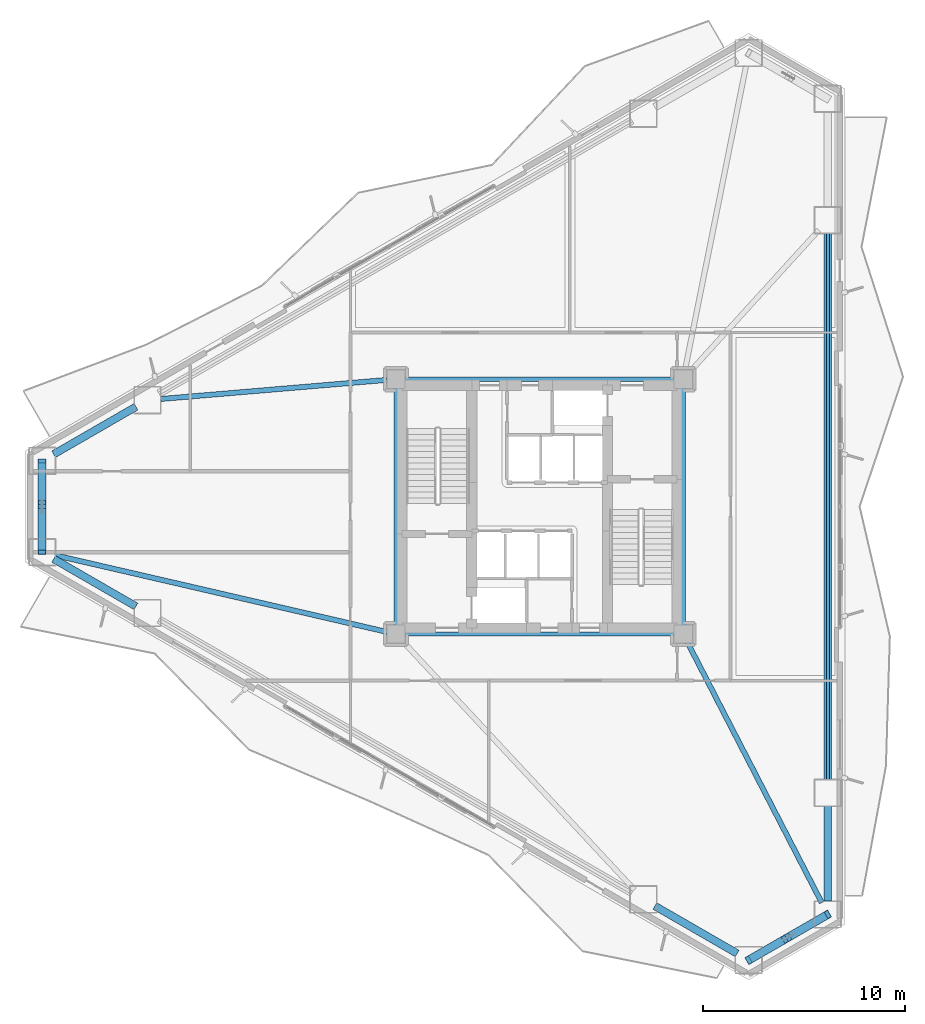
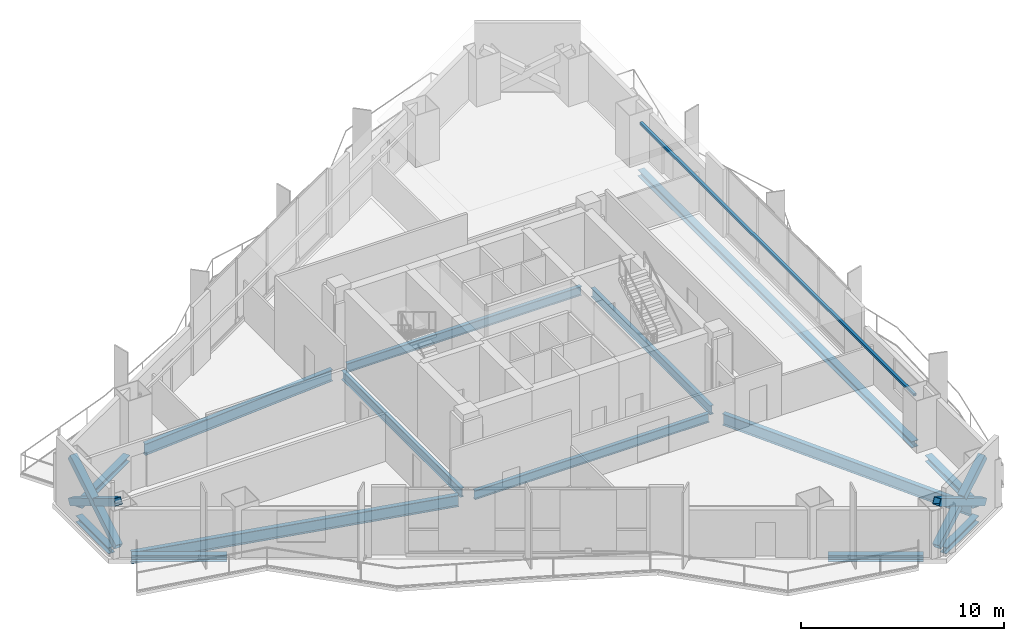
# One storey, part 5 of 16: 15 beams, 6 members.
"""IFC4 building model written with IfcOpenShell, lengths in metres."""

from ifc_helpers import new_model, si_unit, direction, frame, origin, origin_2d, place, context, subcontext, project, spatial, hollow_rectangle, i_section, extrude, material, material_profile, profile_set, type_object, element, save


model = new_model("IFC4")

# Units and contexts
model_context = context("Model", 3, precision=1e-05, world=origin(), true_north=direction((0.0, 1.0)))
body_context = subcontext(model_context, "Body", "Model", "MODEL_VIEW")
ifc_project = project(units=[si_unit("LENGTHUNIT", "METRE"), si_unit("AREAUNIT", "SQUARE_METRE"), si_unit("VOLUMEUNIT", "CUBIC_METRE"), si_unit("PLANEANGLEUNIT", "RADIAN"), si_unit("MASSUNIT", "GRAM", prefix="KILO")], contexts=[model_context])

# Site, building, storey
site_placement = place(None, origin())
site = spatial("IfcSite", under=ifc_project, at=site_placement, CompositionType="ELEMENT")
building_placement = place(site_placement, origin())
building = spatial("IfcBuilding", under=site, at=building_placement, Name="Mersakhor Tower and Convention Hall", CompositionType="ELEMENT")
storey_placement = place(building_placement, frame((0.0, 0.0, 62.10009765625)))
storey = spatial("IfcBuildingStorey", under=building, at=storey_placement, Name="L17", CompositionType="ELEMENT", Elevation=62.10009765625)

# Beams
ifc_material_1 = material(Name="Steel S355", Category="steel")
ifc_material_profile_1 = material_profile(ifc_material_1, i_section(OverallWidth=0.2099609375, OverallDepth=0.53662109375, WebThickness=0.0107421875, FlangeThickness=0.017333984375, at=origin_2d()), Name="UB 533x210x101")
ifc_profile_set_1 = profile_set([ifc_material_profile_1], Name="Steel S355")
beam_type_1 = type_object("IfcBeamType", Name="BM-FB-533", PredefinedType="BEAM", material=ifc_profile_set_1)
beam_1_placement = place(storey_placement, frame((21.89990234375, 20.8798828125, -0.54833984375), z_axis=(0.0, 1.0, 0.0), x_axis=(-1.0, 0.0, 0.0)))
element("IfcBeam", 1, at=beam_1_placement, inside=storey, type_object=beam_type_1, Name="L17 Core Ring Tie Beam CRB-1", PredefinedType="BEAM", context=body_context, shape_type="SweptSolid", body=[
    extrude(i_section(OverallWidth=0.2099609375, OverallDepth=0.53662109375, WebThickness=0.0107421875, FlangeThickness=0.017333984375, at=origin_2d()), origin(), (0.0, 0.0, 1.0), 11.740234375),
])
beam_2_placement = place(storey_placement, frame((22.330078125, 33.050048828125, -0.54833984375), z_axis=(1.0, 0.0, 0.0), x_axis=(0.0, 1.0, 0.0)))
element("IfcBeam", 2, at=beam_2_placement, inside=storey, type_object=beam_type_1, Name="L17 Core Ring Tie Beam CRB-2", PredefinedType="BEAM", context=body_context, shape_type="SweptSolid", body=[
    extrude(i_section(OverallWidth=0.2099609375, OverallDepth=0.53662109375, WebThickness=0.0107421875, FlangeThickness=0.017333984375, at=origin_2d()), origin(), (0.0, 0.0, 1.0), 13.33984375),
])
beam_3_placement = place(storey_placement, frame((36.10009765625, 32.6201171875, -0.54833984375), z_axis=(0.0, -1.0, 0.0), x_axis=(1.0, 0.0, 0.0)))
element("IfcBeam", 3, at=beam_3_placement, inside=storey, type_object=beam_type_1, Name="L17 Core Ring Tie Beam CRB-3", PredefinedType="BEAM", context=body_context, shape_type="SweptSolid", body=[
    extrude(i_section(OverallWidth=0.2099609375, OverallDepth=0.53662109375, WebThickness=0.0107421875, FlangeThickness=0.017333984375, at=origin_2d()), origin(), (0.0, 0.0, 1.0), 11.740234375),
])
beam_4_placement = place(storey_placement, frame((35.669921875, 20.449951171875, -0.54833984375), z_axis=(-1.0, 0.0, 0.0), x_axis=(0.0, -1.0, 0.0)))
element("IfcBeam", 4, at=beam_4_placement, inside=storey, type_object=beam_type_1, Name="L17 Core Ring Tie Beam CRB-4", PredefinedType="BEAM", context=body_context, shape_type="SweptSolid", body=[
    extrude(i_section(OverallWidth=0.2099609375, OverallDepth=0.53662109375, WebThickness=0.0107421875, FlangeThickness=0.017333984375, at=origin_2d()), origin(), (0.0, 0.0, 1.0), 13.33984375),
])
ifc_material_2 = material(Name="Steel S355", Category="steel")
ifc_material_profile_2 = material_profile(ifc_material_2, hollow_rectangle(XDim=0.14990234375, YDim=0.14990234375, WallThickness=0.010009765625, at=origin_2d()), Name="SHS 150x150x10")
ifc_profile_set_2 = profile_set([ifc_material_profile_2], Name="Steel S355")
beam_type_2 = type_object("IfcBeamType", Name="BM-GRT-SHS150", PredefinedType="USERDEFINED", material=ifc_profile_set_2)
beam_5_placement = place(storey_placement, frame((43.25, 40.24951171875, 2.47998046875), z_axis=(0.0, -1.0, 0.0), x_axis=(1.0, 0.0, 0.0)))
element("IfcBeam", 5, at=beam_5_placement, inside=storey, type_object=beam_type_2, Name="L17 Facade Support Girt GRT-F2", ObjectType="GIRT", PredefinedType="USERDEFINED", context=body_context, shape_type="SweptSolid", body=[
    extrude(hollow_rectangle(XDim=0.14990234375, YDim=0.14990234375, WallThickness=0.010009765625, at=origin_2d()), origin(), (0.0, 0.0, 1.0), 26.9990234375),
])
ifc_material_3 = material(Name="Steel S355", Category="steel")
ifc_material_profile_3 = material_profile(ifc_material_3, i_section(OverallWidth=0.25439453125, OverallDepth=0.6875, WebThickness=0.01318359375, FlangeThickness=0.02099609375, at=origin_2d()), Name="UB 686x254x152")
ifc_profile_set_3 = profile_set([ifc_material_profile_3], Name="Steel S355")
beam_type_3 = type_object("IfcBeamType", Name="BM-PR-686", PredefinedType="BEAM", material=ifc_profile_set_3)
beam_6_placement = place(storey_placement, frame((21.471435546875, 33.013916015625, -0.623779296875), z_axis=(-0.996458345442, -0.084087845732, 0.0), x_axis=(0.084087845732, -0.996458345442, 0.0)))
element("IfcBeam", 6, at=beam_6_placement, inside=storey, type_object=beam_type_3, Name="L17 Primary Floor Girder FG-1", PredefinedType="BEAM", context=body_context, shape_type="SweptSolid", body=[
    extrude(i_section(OverallWidth=0.25439453125, OverallDepth=0.6875, WebThickness=0.01318359375, FlangeThickness=0.02099609375, at=origin_2d()), origin(), (0.0, 0.0, 1.0), 11.241943359375),
])
beam_7_placement = place(storey_placement, frame((36.297119140625, 20.06787109375, -0.623779296875), z_axis=(0.458368239331, -0.888762373851, 0.0), x_axis=(0.888762373851, 0.458368239331, 0.0)))
element("IfcBeam", 7, at=beam_7_placement, inside=storey, type_object=beam_type_3, Name="L17 Primary Floor Girder FG-4", PredefinedType="BEAM", context=body_context, shape_type="SweptSolid", body=[
    extrude(i_section(OverallWidth=0.25439453125, OverallDepth=0.6875, WebThickness=0.01318359375, FlangeThickness=0.02099609375, at=origin_2d()), origin(), (0.0, 0.0, 1.0), 14.513671875),
])
beam_8_placement = place(storey_placement, frame((21.48095703125, 20.546875, -0.623779296875), z_axis=(-0.974327224334, 0.225136536175, 0.0), x_axis=(-0.225136536175, -0.974327224334, 0.0)))
element("IfcBeam", 8, at=beam_8_placement, inside=storey, type_object=beam_type_3, Name="L17 Primary Floor Girder FG-6", PredefinedType="BEAM", context=body_context, shape_type="SweptSolid", body=[
    extrude(i_section(OverallWidth=0.25439453125, OverallDepth=0.6875, WebThickness=0.01318359375, FlangeThickness=0.02099609375, at=origin_2d()), origin(), (0.0, 0.0, 1.0), 16.862548828125),
])
ifc_material_4 = material(Name="Steel S355", Category="steel")
ifc_material_profile_4 = material_profile(ifc_material_4, i_section(OverallWidth=0.374755859375, OverallDepth=0.37451171875, WebThickness=0.0166015625, FlangeThickness=0.027099609375, at=origin_2d()), Name="UC 356x368x202")
ifc_profile_set_4 = profile_set([ifc_material_profile_4], Name="Steel S355")
beam_type_4 = type_object("IfcBeamType", Name="BM-SPD-UC356", PredefinedType="SPANDREL", material=ifc_profile_set_4)
beam_9_placement = place(storey_placement, frame((4.980224609375, 29.3369140625, -0.46728515625), z_axis=(0.86605407247, 0.499950341091, 0.0), x_axis=(-0.499950341091, 0.86605407247, 0.0)))
element("IfcBeam", 9, at=beam_9_placement, inside=storey, type_object=beam_type_4, Name="L17 Perimeter Spandrel Beam SPB-01", PredefinedType="SPANDREL", context=body_context, shape_type="SweptSolid", body=[
    extrude(i_section(OverallWidth=0.374755859375, OverallDepth=0.37451171875, WebThickness=0.0166015625, FlangeThickness=0.027099609375, at=origin_2d()), origin(), (0.0, 0.0, 1.0), 4.69873046875),
])
beam_10_placement = place(storey_placement, frame((43.25, 40.24951171875, -0.46728515625), z_axis=(0.0, -1.0, 0.0), x_axis=(1.0, 0.0, 0.0)))
element("IfcBeam", 10, at=beam_10_placement, inside=storey, type_object=beam_type_4, Name="L17 Perimeter Spandrel Beam SPB-06", PredefinedType="SPANDREL", context=body_context, shape_type="SweptSolid", body=[
    extrude(i_section(OverallWidth=0.374755859375, OverallDepth=0.37451171875, WebThickness=0.0166015625, FlangeThickness=0.027099609375, at=origin_2d()), origin(), (0.0, 0.0, 1.0), 26.9990234375),
])
beam_11_placement = place(storey_placement, frame((43.25, 11.9404296875, -0.46728515625), z_axis=(0.0, -1.0, 0.0), x_axis=(1.0, 0.0, 0.0)))
element("IfcBeam", 11, at=beam_11_placement, inside=storey, type_object=beam_type_4, Name="L17 Perimeter Spandrel Beam SPB-07", PredefinedType="SPANDREL", context=body_context, shape_type="SweptSolid", body=[
    extrude(i_section(OverallWidth=0.374755859375, OverallDepth=0.37451171875, WebThickness=0.0166015625, FlangeThickness=0.027099609375, at=origin_2d()), origin(), (0.0, 0.0, 1.0), 4.69873046875),
])
beam_12_placement = place(storey_placement, frame((42.682861328125, 6.25927734375, -0.46728515625), z_axis=(-0.866038607556, -0.4999771297, 0.0), x_axis=(0.4999771297, -0.866038607556, 0.0)))
element("IfcBeam", 12, at=beam_12_placement, inside=storey, type_object=beam_type_4, Name="L17 Perimeter Spandrel Beam SPB-08", PredefinedType="SPANDREL", context=body_context, shape_type="SweptSolid", body=[
    extrude(i_section(OverallWidth=0.374755859375, OverallDepth=0.37451171875, WebThickness=0.0166015625, FlangeThickness=0.027099609375, at=origin_2d()), origin(), (0.0, 0.0, 1.0), 3.208740234375),
])
for number, where, z_axis, x_axis, name in (
    (13, (38.769775390625, 4.655029296875, -0.46728515625), (-0.866031574723, 0.499989311469, 0.0), (-0.499989311469, -0.866031574723, 0.0), "L17 Perimeter Spandrel Beam SPB-09"),
    (14, (9.049560546875, 21.81396484375, -0.46728515625), (-0.86605407247, 0.499950341091, 0.0), (-0.499950341091, -0.86605407247, 0.0), "L17 Perimeter Spandrel Beam SPB-11"),
):
    element("IfcBeam", number, at=place(storey_placement, frame(where, z_axis=z_axis, x_axis=x_axis)), inside=storey, type_object=beam_type_4, Name=name, PredefinedType="SPANDREL", context=body_context, shape_type="SweptSolid", body=[
        extrude(i_section(OverallWidth=0.374755859375, OverallDepth=0.37451171875, WebThickness=0.0166015625, FlangeThickness=0.027099609375, at=origin_2d()), origin(), (0.0, 0.0, 1.0), 4.69873046875),
    ])
beam_13_placement = place(storey_placement, frame((4.4130859375, 25.145751953125, -0.46728515625), z_axis=(0.0, 1.0, 0.0), x_axis=(-1.0, 0.0, 0.0)))
element("IfcBeam", 15, at=beam_13_placement, inside=storey, type_object=beam_type_4, Name="L17 Perimeter Spandrel Beam SPB-12", PredefinedType="SPANDREL", context=body_context, shape_type="SweptSolid", body=[
    extrude(i_section(OverallWidth=0.374755859375, OverallDepth=0.37451171875, WebThickness=0.0166015625, FlangeThickness=0.027099609375, at=origin_2d()), origin(), (0.0, 0.0, 1.0), 3.20849609375),
])

# Members
ifc_material_5 = material(Name="Steel S460", Category="steel")
ifc_material_profile_5 = material_profile(ifc_material_5, hollow_rectangle(XDim=0.39990234375, YDim=0.39990234375, WallThickness=0.02490234375, at=origin_2d()), Name="SHS 400x400x25")
ifc_profile_set_5 = profile_set([ifc_material_profile_5], Name="Steel S460")
member_type = type_object("IfcMemberType", Name="MB-BRC-SHS400", PredefinedType="BRACE", material=ifc_profile_set_5)
member_1_placement = place(storey_placement, frame((43.25, 6.586669921875, 0.14990234375), z_axis=(-0.742687348281, -0.428801392625, 0.514339254175), x_axis=(0.500009315796, -0.86602002524, 0.0)))
element("IfcMember", 16, at=member_1_placement, inside=storey, type_object=member_type, Name="L17 Chamfer Braced Frame Diagonal CB-2A", PredefinedType="BRACE", context=body_context, shape_type="SweptSolid", body=[
    extrude(hollow_rectangle(XDim=0.39990234375, YDim=0.39990234375, WallThickness=0.02490234375, at=origin_2d()), origin(), (0.0, 0.0, 1.0), 5.268798828125),
])
for number, where, z_axis, x_axis, name in (
    (17, (39.3369140625, 4.327392578125, 0.14990234375), (0.742661276392, 0.4288105863, 0.514369234718), (-0.500030520673, 0.866007781949, 0.0), "L17 Chamfer Braced Frame Diagonal CB-2B Lower Half"),
    (18, (41.4677734375, 5.5576171875, 1.62548828125), (0.742661276392, 0.4288105863, 0.514369234718), (-0.500030520673, 0.866007781949, 0.0), "L17 Chamfer Braced Frame Diagonal CB-2B Upper Half"),
):
    element("IfcMember", number, at=place(storey_placement, frame(where, z_axis=z_axis, x_axis=x_axis)), inside=storey, type_object=member_type, Name=name, PredefinedType="BRACE", context=body_context, shape_type="SweptSolid", body=[
        extrude(hollow_rectangle(XDim=0.39990234375, YDim=0.39990234375, WallThickness=0.02490234375, at=origin_2d()), origin(), (0.0, 0.0, 1.0), 2.39990234375),
    ])
member_2_placement = place(storey_placement, frame((4.4130859375, 24.49072265625, 0.14990234375), z_axis=(0.0, 0.857591033909, 0.514332206418), x_axis=(-1.0, 0.0, 0.0)))
element("IfcMember", 19, at=member_2_placement, inside=storey, type_object=member_type, Name="L17 Chamfer Braced Frame Diagonal CB-3A", PredefinedType="BRACE", context=body_context, shape_type="SweptSolid", body=[
    extrude(hollow_rectangle(XDim=0.39990234375, YDim=0.39990234375, WallThickness=0.02490234375, at=origin_2d()), origin(), (0.0, 0.0, 1.0), 5.268798828125),
])
for number, where, z_axis, x_axis, name in (
    (20, (4.4130859375, 29.00927734375, 0.14990234375), (0.0, -0.857555757944, 0.514391020544), (1.0, 0.0, 0.0), "L17 Chamfer Braced Frame Diagonal CB-3B Lower Half"),
    (21, (4.4130859375, 26.548583984375, 1.62548828125), (0.0, -0.857555757944, 0.514391020544), (1.0, 0.0, 0.0), "L17 Chamfer Braced Frame Diagonal CB-3B Upper Half"),
):
    element("IfcMember", number, at=place(storey_placement, frame(where, z_axis=z_axis, x_axis=x_axis)), inside=storey, type_object=member_type, Name=name, PredefinedType="BRACE", context=body_context, shape_type="SweptSolid", body=[
        extrude(hollow_rectangle(XDim=0.39990234375, YDim=0.39990234375, WallThickness=0.02490234375, at=origin_2d()), origin(), (0.0, 0.0, 1.0), 2.399658203125),
    ])

save(model, "model.ifc")
